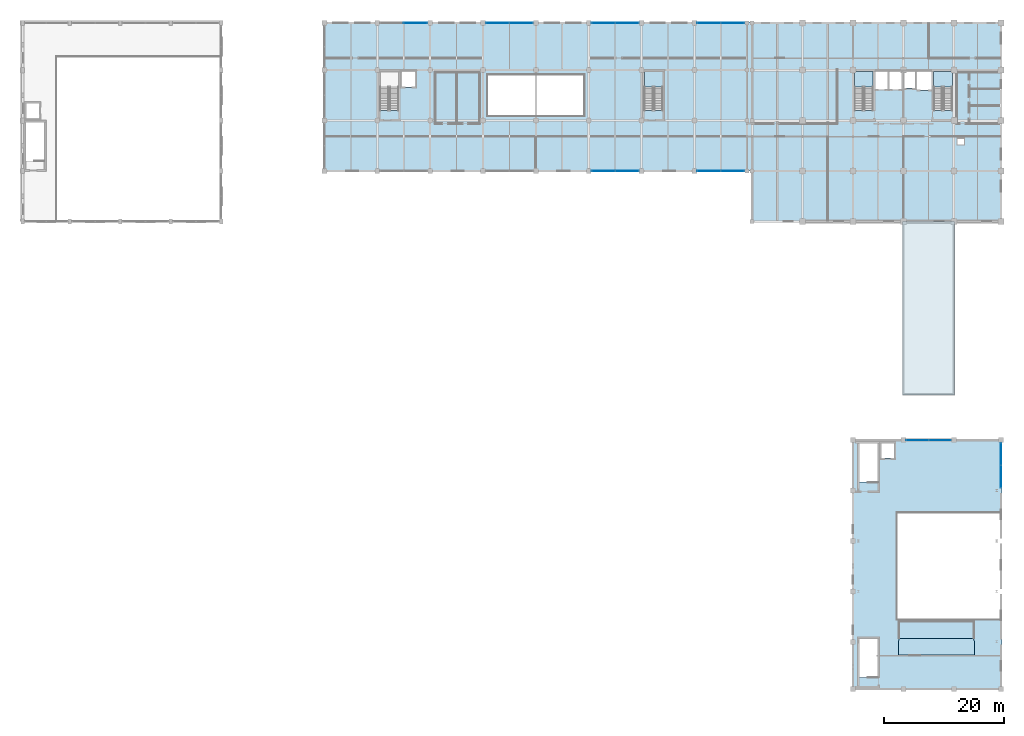
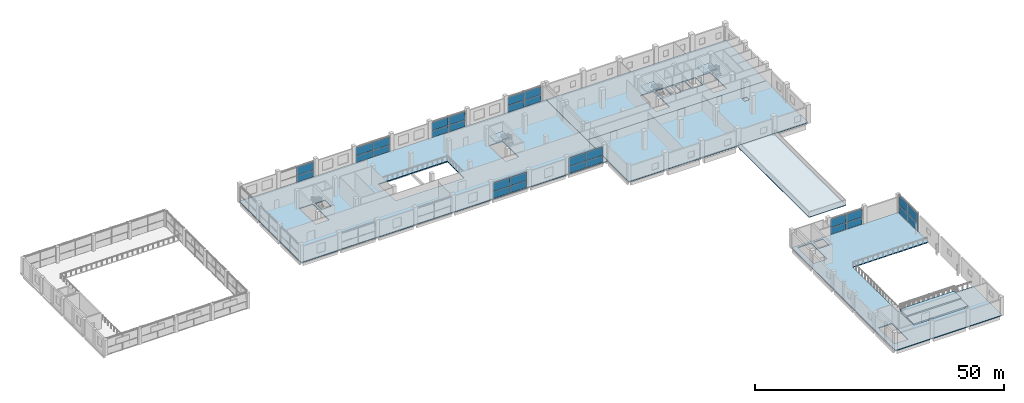
# One storey, part 19 of 31: 30 plates, 10 slabs, 12 elements without a shape of their own.
"""IFC4 building model written with IfcOpenShell, lengths in metres."""

from ifc_helpers import new_model, si_unit, direction, frame, origin, origin_2d, place, context, subcontext, project, spatial, polyline, rectangle, outline, extrude, material, layer, layer_set, type_object, element, aggregate, save


model = new_model("IFC4")

# Units and contexts
model_context = context("Model", 3, precision=1e-05, world=origin(), true_north=direction((0.0, 1.0)))
body_context = subcontext(model_context, "Body", "Model", "MODEL_VIEW")
ifc_project = project(units=[si_unit("LENGTHUNIT", "METRE"), si_unit("AREAUNIT", "SQUARE_METRE"), si_unit("VOLUMEUNIT", "CUBIC_METRE"), si_unit("PLANEANGLEUNIT", "RADIAN"), si_unit("MASSUNIT", "GRAM", prefix="KILO")], contexts=[model_context])

# Site, building, storey
site_placement = place(None, origin())
site = spatial("IfcSite", under=ifc_project, at=site_placement, CompositionType="ELEMENT")
building_placement = place(site_placement, origin())
building = spatial("IfcBuilding", under=site, at=building_placement, Name="Brinegate Botanical Conservatory", CompositionType="ELEMENT")
storey_placement = place(building_placement, frame((0.0, 0.0, 5.39990234375)))
storey = spatial("IfcBuildingStorey", under=building, at=storey_placement, Name="L02", CompositionType="ELEMENT", Elevation=5.39990234375)

# Curtain wall, plates
ifc_material_1 = material(Name="Thermally broken anodised aluminium AW-6063-T6", Category="aluminium")
curtain_wall_type_1 = type_object("IfcCurtainWallType", Name="CW_CW-V2", PredefinedType="USERDEFINED", material=ifc_material_1)
curtain_wall_1_placement = place(storey_placement, origin())
curtain_wall_1 = element("IfcCurtainWall", 1, at=curtain_wall_1_placement, inside=storey, type_object=curtain_wall_type_1, Name="Auditorium upper foyer curtain wall", ObjectType="FACTORY CURTAIN WALL", PredefinedType="USERDEFINED")
ifc_material_2 = material(Name="Double-silver Low-E laminated safety glass", Category="glass")
ifc_layer_1 = layer(ifc_material_2, 0.028076171875, Name="Double-silver Low-E laminated safety glass", Category="glass")
ifc_layer_set_1 = layer_set([ifc_layer_1], Name="Double-silver Low-E laminated safety glass")
plate_type = type_object("IfcPlateType", Name="Plate_PN-28", PredefinedType="CURTAIN_PANEL", material=ifc_layer_set_1)
plate_1_placement = place(storey_placement, frame((163.449951171875, 39.6650390625, 0.06005859375), z_axis=(0.0, 0.0, 1.0), x_axis=(0.0, -1.0, 0.0)))
plate_1 = element("IfcPlate", 2, at=plate_1_placement, type_object=plate_type, Name="CW-V2 panel 1.1", PredefinedType="CURTAIN_PANEL", context=body_context, shape_type="SweptSolid", body=[
    extrude(rectangle(XDim=3.669921875, YDim=0.028076171875, at=origin_2d()), origin(), (0.0, 0.0, 1.0), 1.97998046875),
])
plate_2_placement = place(storey_placement, frame((163.449951171875, 39.6650390625, 2.10009765625), z_axis=(0.0, 0.0, 1.0), x_axis=(0.0, -1.0, 0.0)))
plate_2 = element("IfcPlate", 3, at=plate_2_placement, type_object=plate_type, Name="CW-V2 panel 1.2", PredefinedType="CURTAIN_PANEL", context=body_context, shape_type="SweptSolid", body=[
    extrude(rectangle(XDim=3.669921875, YDim=0.028076171875, at=origin_2d()), origin(), (0.0, 0.0, 1.0), 2.43994140625),
])
plate_3_placement = place(storey_placement, frame((163.449951171875, 35.93505859375, 0.06005859375), z_axis=(0.0, 0.0, 1.0), x_axis=(0.0, -1.0, 0.0)))
plate_3 = element("IfcPlate", 4, at=plate_3_placement, type_object=plate_type, Name="CW-V2 panel 2.1", PredefinedType="CURTAIN_PANEL", context=body_context, shape_type="SweptSolid", body=[
    extrude(rectangle(XDim=3.669921875, YDim=0.028076171875, at=origin_2d()), origin(), (0.0, 0.0, 1.0), 1.97998046875),
])
plate_4_placement = place(storey_placement, frame((163.449951171875, 35.93505859375, 2.10009765625), z_axis=(0.0, 0.0, 1.0), x_axis=(0.0, -1.0, 0.0)))
plate_4 = element("IfcPlate", 5, at=plate_4_placement, type_object=plate_type, Name="CW-V2 panel 2.2", PredefinedType="CURTAIN_PANEL", context=body_context, shape_type="SweptSolid", body=[
    extrude(rectangle(XDim=3.669921875, YDim=0.028076171875, at=origin_2d()), origin(), (0.0, 0.0, 1.0), 2.43994140625),
])
aggregate(curtain_wall_1, [plate_1, plate_2, plate_3, plate_4])

curtain_wall_2_placement = place(storey_placement, origin())
curtain_wall_2 = element("IfcCurtainWall", 6, at=curtain_wall_2_placement, inside=storey, type_object=curtain_wall_type_1, Name="Auditorium north foyer curtain bay L02", ObjectType="FACTORY CURTAIN WALL", PredefinedType="USERDEFINED")
plate_5_placement = place(storey_placement, frame((149.534912109375, 42.0, 0.06005859375), z_axis=(0.0, 0.0, 1.0), x_axis=(1.0, 0.0, 0.0)))
plate_5 = element("IfcPlate", 7, at=plate_5_placement, type_object=plate_type, Name="CW-V2 panel 1.1", PredefinedType="CURTAIN_PANEL", context=body_context, shape_type="SweptSolid", body=[
    extrude(rectangle(XDim=3.669921875, YDim=0.028076171875, at=origin_2d()), origin(), (0.0, 0.0, 1.0), 1.64306640625),
])
plate_6_placement = place(storey_placement, frame((149.534912109375, 42.0, 1.76318359375), z_axis=(0.0, 0.0, 1.0), x_axis=(1.0, 0.0, 0.0)))
plate_6 = element("IfcPlate", 8, at=plate_6_placement, type_object=plate_type, Name="CW-V2 panel 1.2", PredefinedType="CURTAIN_PANEL", context=body_context, shape_type="SweptSolid", body=[
    extrude(rectangle(XDim=3.669921875, YDim=0.028076171875, at=origin_2d()), origin(), (0.0, 0.0, 1.0), 2.027099609375),
])
plate_7_placement = place(storey_placement, frame((153.264892578125, 42.0, 0.06005859375), z_axis=(0.0, 0.0, 1.0), x_axis=(1.0, 0.0, 0.0)))
plate_7 = element("IfcPlate", 9, at=plate_7_placement, type_object=plate_type, Name="CW-V2 panel 2.1", PredefinedType="CURTAIN_PANEL", context=body_context, shape_type="SweptSolid", body=[
    extrude(rectangle(XDim=3.669921875, YDim=0.028076171875, at=origin_2d()), origin(), (0.0, 0.0, 1.0), 1.64306640625),
])
plate_8_placement = place(storey_placement, frame((153.264892578125, 42.0, 1.76318359375), z_axis=(0.0, 0.0, 1.0), x_axis=(1.0, 0.0, 0.0)))
plate_8 = element("IfcPlate", 10, at=plate_8_placement, type_object=plate_type, Name="CW-V2 panel 2.2", PredefinedType="CURTAIN_PANEL", context=body_context, shape_type="SweptSolid", body=[
    extrude(rectangle(XDim=3.669921875, YDim=0.028076171875, at=origin_2d()), origin(), (0.0, 0.0, 1.0), 2.027099609375),
])
aggregate(curtain_wall_2, [plate_5, plate_6, plate_7, plate_8])

curtain_wall_type_2 = type_object("IfcCurtainWallType", Name="CW_CW-V3", PredefinedType="USERDEFINED", material=ifc_material_1)
curtain_wall_3_placement = place(storey_placement, origin())
curtain_wall_3 = element("IfcCurtainWall", 11, at=curtain_wall_3_placement, inside=storey, type_object=curtain_wall_type_2, Name="Visitor north factory curtain wall L02.2", ObjectType="FACTORY CURTAIN WALL", PredefinedType="USERDEFINED")
plate_9_placement = place(storey_placement, frame((65.9638671875, 111.449951171875, 0.065185546875), z_axis=(0.0, 0.0, 1.0), x_axis=(1.0, 0.0, 0.0)))
plate_9 = element("IfcPlate", 12, at=plate_9_placement, type_object=plate_type, Name="CW-V3 panel 2.1", PredefinedType="CURTAIN_PANEL", context=body_context, shape_type="SweptSolid", body=[
    extrude(rectangle(XDim=3.862548828125, YDim=0.028076171875, at=origin_2d()), origin(), (0.0, 0.0, 1.0), 1.62548828125),
])
plate_10_placement = place(storey_placement, frame((65.9638671875, 111.449951171875, 1.75537109375), z_axis=(0.0, 0.0, 1.0), x_axis=(1.0, 0.0, 0.0)))
plate_10 = element("IfcPlate", 13, at=plate_10_placement, type_object=plate_type, Name="CW-V3 panel 2.2", PredefinedType="CURTAIN_PANEL", context=body_context, shape_type="SweptSolid", body=[
    extrude(rectangle(XDim=3.862548828125, YDim=0.028076171875, at=origin_2d()), origin(), (0.0, 0.0, 1.0), 2.009521484375),
])
aggregate(curtain_wall_3, [plate_9, plate_10])

curtain_wall_4_placement = place(storey_placement, origin())
curtain_wall_4 = element("IfcCurtainWall", 14, at=curtain_wall_4_placement, inside=storey, type_object=curtain_wall_type_2, Name="Visitor north factory curtain wall L02.4", ObjectType="FACTORY CURTAIN WALL", PredefinedType="USERDEFINED")
plate_11_placement = place(storey_placement, frame((79.63623046875, 111.449951171875, 0.065185546875), z_axis=(0.0, 0.0, 1.0), x_axis=(1.0, 0.0, 0.0)))
plate_11 = element("IfcPlate", 15, at=plate_11_placement, type_object=plate_type, Name="CW-V3 panel 1.1", PredefinedType="CURTAIN_PANEL", context=body_context, shape_type="SweptSolid", body=[
    extrude(rectangle(XDim=3.862548828125, YDim=0.028076171875, at=origin_2d()), origin(), (0.0, 0.0, 1.0), 1.62548828125),
])
plate_12_placement = place(storey_placement, frame((79.63623046875, 111.449951171875, 1.75537109375), z_axis=(0.0, 0.0, 1.0), x_axis=(1.0, 0.0, 0.0)))
plate_12 = element("IfcPlate", 16, at=plate_12_placement, type_object=plate_type, Name="CW-V3 panel 1.2", PredefinedType="CURTAIN_PANEL", context=body_context, shape_type="SweptSolid", body=[
    extrude(rectangle(XDim=3.862548828125, YDim=0.028076171875, at=origin_2d()), origin(), (0.0, 0.0, 1.0), 2.009521484375),
])
plate_13_placement = place(storey_placement, frame((83.563720703125, 111.449951171875, 0.065185546875), z_axis=(0.0, 0.0, 1.0), x_axis=(1.0, 0.0, 0.0)))
plate_13 = element("IfcPlate", 17, at=plate_13_placement, type_object=plate_type, Name="CW-V3 panel 2.1", PredefinedType="CURTAIN_PANEL", context=body_context, shape_type="SweptSolid", body=[
    extrude(rectangle(XDim=3.862548828125, YDim=0.028076171875, at=origin_2d()), origin(), (0.0, 0.0, 1.0), 1.62548828125),
])
plate_14_placement = place(storey_placement, frame((83.563720703125, 111.449951171875, 1.75537109375), z_axis=(0.0, 0.0, 1.0), x_axis=(1.0, 0.0, 0.0)))
plate_14 = element("IfcPlate", 18, at=plate_14_placement, type_object=plate_type, Name="CW-V3 panel 2.2", PredefinedType="CURTAIN_PANEL", context=body_context, shape_type="SweptSolid", body=[
    extrude(rectangle(XDim=3.862548828125, YDim=0.028076171875, at=origin_2d()), origin(), (0.0, 0.0, 1.0), 2.009521484375),
])
aggregate(curtain_wall_4, [plate_11, plate_12, plate_13, plate_14])

curtain_wall_5_placement = place(storey_placement, origin())
curtain_wall_5 = element("IfcCurtainWall", 19, at=curtain_wall_5_placement, inside=storey, type_object=curtain_wall_type_2, Name="Visitor north factory curtain wall L02.6", ObjectType="FACTORY CURTAIN WALL", PredefinedType="USERDEFINED")
plate_15_placement = place(storey_placement, frame((97.236328125, 111.449951171875, 0.065185546875), z_axis=(0.0, 0.0, 1.0), x_axis=(1.0, 0.0, 0.0)))
plate_15 = element("IfcPlate", 20, at=plate_15_placement, type_object=plate_type, Name="CW-V3 panel 1.1", PredefinedType="CURTAIN_PANEL", context=body_context, shape_type="SweptSolid", body=[
    extrude(rectangle(XDim=3.862548828125, YDim=0.028076171875, at=origin_2d()), origin(), (0.0, 0.0, 1.0), 1.62548828125),
])
plate_16_placement = place(storey_placement, frame((97.236328125, 111.449951171875, 1.75537109375), z_axis=(0.0, 0.0, 1.0), x_axis=(1.0, 0.0, 0.0)))
plate_16 = element("IfcPlate", 21, at=plate_16_placement, type_object=plate_type, Name="CW-V3 panel 1.2", PredefinedType="CURTAIN_PANEL", context=body_context, shape_type="SweptSolid", body=[
    extrude(rectangle(XDim=3.862548828125, YDim=0.028076171875, at=origin_2d()), origin(), (0.0, 0.0, 1.0), 2.009521484375),
])
plate_17_placement = place(storey_placement, frame((101.163818359375, 111.449951171875, 0.065185546875), z_axis=(0.0, 0.0, 1.0), x_axis=(1.0, 0.0, 0.0)))
plate_17 = element("IfcPlate", 22, at=plate_17_placement, type_object=plate_type, Name="CW-V3 panel 2.1", PredefinedType="CURTAIN_PANEL", context=body_context, shape_type="SweptSolid", body=[
    extrude(rectangle(XDim=3.862548828125, YDim=0.028076171875, at=origin_2d()), origin(), (0.0, 0.0, 1.0), 1.62548828125),
])
plate_18_placement = place(storey_placement, frame((101.163818359375, 111.449951171875, 1.75537109375), z_axis=(0.0, 0.0, 1.0), x_axis=(1.0, 0.0, 0.0)))
plate_18 = element("IfcPlate", 23, at=plate_18_placement, type_object=plate_type, Name="CW-V3 panel 2.2", PredefinedType="CURTAIN_PANEL", context=body_context, shape_type="SweptSolid", body=[
    extrude(rectangle(XDim=3.862548828125, YDim=0.028076171875, at=origin_2d()), origin(), (0.0, 0.0, 1.0), 2.009521484375),
])
aggregate(curtain_wall_5, [plate_15, plate_16, plate_17, plate_18])

curtain_wall_6_placement = place(storey_placement, origin())
curtain_wall_6 = element("IfcCurtainWall", 24, at=curtain_wall_6_placement, inside=storey, type_object=curtain_wall_type_2, Name="Visitor south court curtain wall L02.6", ObjectType="FACTORY CURTAIN WALL", PredefinedType="USERDEFINED")
plate_19_placement = place(storey_placement, frame((101.163818359375, 86.800048828125, 0.065185546875), z_axis=(0.0, 0.0, 1.0), x_axis=(-1.0, 0.0, 0.0)))
plate_19 = element("IfcPlate", 25, at=plate_19_placement, type_object=plate_type, Name="CW-V3 panel 1.1", PredefinedType="CURTAIN_PANEL", context=body_context, shape_type="SweptSolid", body=[
    extrude(rectangle(XDim=3.862548828125, YDim=0.028076171875, at=origin_2d()), origin(), (0.0, 0.0, 1.0), 1.67041015625),
])
plate_20_placement = place(storey_placement, frame((101.163818359375, 86.800048828125, 1.800537109375), z_axis=(0.0, 0.0, 1.0), x_axis=(-1.0, 0.0, 0.0)))
plate_20 = element("IfcPlate", 26, at=plate_20_placement, type_object=plate_type, Name="CW-V3 panel 1.2", PredefinedType="CURTAIN_PANEL", context=body_context, shape_type="SweptSolid", body=[
    extrude(rectangle(XDim=3.862548828125, YDim=0.028076171875, at=origin_2d()), origin(), (0.0, 0.0, 1.0), 2.064453125),
])
plate_21_placement = place(storey_placement, frame((97.236328125, 86.800048828125, 0.065185546875), z_axis=(0.0, 0.0, 1.0), x_axis=(-1.0, 0.0, 0.0)))
plate_21 = element("IfcPlate", 27, at=plate_21_placement, type_object=plate_type, Name="CW-V3 panel 2.1", PredefinedType="CURTAIN_PANEL", context=body_context, shape_type="SweptSolid", body=[
    extrude(rectangle(XDim=3.862548828125, YDim=0.028076171875, at=origin_2d()), origin(), (0.0, 0.0, 1.0), 1.67041015625),
])
plate_22_placement = place(storey_placement, frame((97.236328125, 86.800048828125, 1.800537109375), z_axis=(0.0, 0.0, 1.0), x_axis=(-1.0, 0.0, 0.0)))
plate_22 = element("IfcPlate", 28, at=plate_22_placement, type_object=plate_type, Name="CW-V3 panel 2.2", PredefinedType="CURTAIN_PANEL", context=body_context, shape_type="SweptSolid", body=[
    extrude(rectangle(XDim=3.862548828125, YDim=0.028076171875, at=origin_2d()), origin(), (0.0, 0.0, 1.0), 2.064453125),
])
aggregate(curtain_wall_6, [plate_19, plate_20, plate_21, plate_22])

curtain_wall_7_placement = place(storey_placement, origin())
curtain_wall_7 = element("IfcCurtainWall", 29, at=curtain_wall_7_placement, inside=storey, type_object=curtain_wall_type_2, Name="Visitor north factory curtain wall L02.8", ObjectType="FACTORY CURTAIN WALL", PredefinedType="USERDEFINED")
plate_23_placement = place(storey_placement, frame((114.836181640625, 111.449951171875, 0.065185546875), z_axis=(0.0, 0.0, 1.0), x_axis=(1.0, 0.0, 0.0)))
plate_23 = element("IfcPlate", 30, at=plate_23_placement, type_object=plate_type, Name="CW-V3 panel 1.1", PredefinedType="CURTAIN_PANEL", context=body_context, shape_type="SweptSolid", body=[
    extrude(rectangle(XDim=3.862548828125, YDim=0.028076171875, at=origin_2d()), origin(), (0.0, 0.0, 1.0), 1.62548828125),
])
plate_24_placement = place(storey_placement, frame((114.836181640625, 111.449951171875, 1.75537109375), z_axis=(0.0, 0.0, 1.0), x_axis=(1.0, 0.0, 0.0)))
plate_24 = element("IfcPlate", 31, at=plate_24_placement, type_object=plate_type, Name="CW-V3 panel 1.2", PredefinedType="CURTAIN_PANEL", context=body_context, shape_type="SweptSolid", body=[
    extrude(rectangle(XDim=3.862548828125, YDim=0.028076171875, at=origin_2d()), origin(), (0.0, 0.0, 1.0), 2.009521484375),
])
plate_25_placement = place(storey_placement, frame((118.763671875, 111.449951171875, 0.065185546875), z_axis=(0.0, 0.0, 1.0), x_axis=(1.0, 0.0, 0.0)))
plate_25 = element("IfcPlate", 32, at=plate_25_placement, type_object=plate_type, Name="CW-V3 panel 2.1", PredefinedType="CURTAIN_PANEL", context=body_context, shape_type="SweptSolid", body=[
    extrude(rectangle(XDim=3.862548828125, YDim=0.028076171875, at=origin_2d()), origin(), (0.0, 0.0, 1.0), 1.62548828125),
])
plate_26_placement = place(storey_placement, frame((118.763671875, 111.449951171875, 1.75537109375), z_axis=(0.0, 0.0, 1.0), x_axis=(1.0, 0.0, 0.0)))
plate_26 = element("IfcPlate", 33, at=plate_26_placement, type_object=plate_type, Name="CW-V3 panel 2.2", PredefinedType="CURTAIN_PANEL", context=body_context, shape_type="SweptSolid", body=[
    extrude(rectangle(XDim=3.862548828125, YDim=0.028076171875, at=origin_2d()), origin(), (0.0, 0.0, 1.0), 2.009521484375),
])
aggregate(curtain_wall_7, [plate_23, plate_24, plate_25, plate_26])

curtain_wall_8_placement = place(storey_placement, origin())
curtain_wall_8 = element("IfcCurtainWall", 34, at=curtain_wall_8_placement, inside=storey, type_object=curtain_wall_type_2, Name="Visitor south court curtain wall L02.8", ObjectType="FACTORY CURTAIN WALL", PredefinedType="USERDEFINED")
plate_27_placement = place(storey_placement, frame((118.763671875, 86.800048828125, 0.065185546875), z_axis=(0.0, 0.0, 1.0), x_axis=(-1.0, 0.0, 0.0)))
plate_27 = element("IfcPlate", 35, at=plate_27_placement, type_object=plate_type, Name="CW-V3 panel 1.1", PredefinedType="CURTAIN_PANEL", context=body_context, shape_type="SweptSolid", body=[
    extrude(rectangle(XDim=3.862548828125, YDim=0.028076171875, at=origin_2d()), origin(), (0.0, 0.0, 1.0), 1.67041015625),
])
plate_28_placement = place(storey_placement, frame((118.763671875, 86.800048828125, 1.800537109375), z_axis=(0.0, 0.0, 1.0), x_axis=(-1.0, 0.0, 0.0)))
plate_28 = element("IfcPlate", 36, at=plate_28_placement, type_object=plate_type, Name="CW-V3 panel 1.2", PredefinedType="CURTAIN_PANEL", context=body_context, shape_type="SweptSolid", body=[
    extrude(rectangle(XDim=3.862548828125, YDim=0.028076171875, at=origin_2d()), origin(), (0.0, 0.0, 1.0), 2.064453125),
])
plate_29_placement = place(storey_placement, frame((114.836181640625, 86.800048828125, 0.065185546875), z_axis=(0.0, 0.0, 1.0), x_axis=(-1.0, 0.0, 0.0)))
plate_29 = element("IfcPlate", 37, at=plate_29_placement, type_object=plate_type, Name="CW-V3 panel 2.1", PredefinedType="CURTAIN_PANEL", context=body_context, shape_type="SweptSolid", body=[
    extrude(rectangle(XDim=3.862548828125, YDim=0.028076171875, at=origin_2d()), origin(), (0.0, 0.0, 1.0), 1.67041015625),
])
plate_30_placement = place(storey_placement, frame((114.836181640625, 86.800048828125, 1.800537109375), z_axis=(0.0, 0.0, 1.0), x_axis=(-1.0, 0.0, 0.0)))
plate_30 = element("IfcPlate", 38, at=plate_30_placement, type_object=plate_type, Name="CW-V3 panel 2.2", PredefinedType="CURTAIN_PANEL", context=body_context, shape_type="SweptSolid", body=[
    extrude(rectangle(XDim=3.862548828125, YDim=0.028076171875, at=origin_2d()), origin(), (0.0, 0.0, 1.0), 2.064453125),
])
aggregate(curtain_wall_8, [plate_27, plate_28, plate_29, plate_30])

# Slabs
ifc_material_3 = material(Name="Concrete C40/50", Category="concrete")
ifc_layer_2 = layer(ifc_material_3, 0.219970703125, Name="Concrete C40/50", Category="concrete")
ifc_layer_set_2 = layer_set([ifc_layer_2], Name="Concrete C40/50")
slab_type_1 = type_object("IfcSlabType", Name="Slab_SL-FL220", PredefinedType="FLOOR", material=ifc_layer_set_2)
slab_1_placement = place(storey_placement, frame((0.0, 0.0, -0.219970703125)))
element("IfcSlab", 39, at=slab_1_placement, inside=storey, type_object=slab_type_1, Name="Auditorium L02 upper concourse slab", PredefinedType="FLOOR", context=body_context, shape_type="SweptSolid", body=[
    extrude(outline(polyline([(138.800048828125, 0.39990234375), (163.580078125, 0.39990234375), (163.580078125, 12.0), (146.0, 12.0), (146.0, 30.0), (163.580078125, 30.0), (163.580078125, 42.0), (138.800048828125, 42.0), (138.800048828125, 0.39990234375)]), holes=[polyline([(142.949951171875, 35.0), (142.949951171875, 41.449951171875), (139.85009765625, 41.449951171875), (139.85009765625, 35.0), (142.949951171875, 35.0)]), polyline([(142.949951171875, 2.5), (142.949951171875, 8.949951171875), (139.85009765625, 8.949951171875), (139.85009765625, 2.5), (142.949951171875, 2.5)]), polyline([(143.5, 39.0), (145.699951171875, 39.0), (145.699951171875, 41.5), (143.5, 41.5), (143.5, 39.0)])]), origin(), (0.0, 0.0, 1.0), 0.219970703125),
])
slab_2_placement = place(storey_placement, frame((0.0, 0.0, -0.219970703125)))
element("IfcSlab", 40, at=slab_2_placement, inside=storey, type_object=slab_type_1, Name="Visitor Wing L02 floor slab", PredefinedType="FLOOR", context=body_context, shape_type="SweptSolid", body=[
    extrude(outline(polyline([(50.800048828125, 86.800048828125), (121.919921875, 86.800048828125), (121.919921875, 111.60009765625), (50.800048828125, 111.60009765625), (50.800048828125, 86.800048828125)]), holes=[polyline([(63.14990234375, 96.89990234375), (63.14990234375, 103.35009765625), (60.050048828125, 103.35009765625), (60.050048828125, 96.89990234375), (63.14990234375, 96.89990234375)]), polyline([(107.14990234375, 96.89990234375), (107.14990234375, 103.35009765625), (104.050048828125, 103.35009765625), (104.050048828125, 96.89990234375), (107.14990234375, 96.89990234375)]), polyline([(63.699951171875, 100.800048828125), (65.89990234375, 100.800048828125), (65.89990234375, 103.300048828125), (63.699951171875, 103.300048828125), (63.699951171875, 100.800048828125)]), polyline([(78.0, 96.0), (94.0, 96.0), (94.0, 102.800048828125), (78.0, 102.800048828125), (78.0, 96.0)])]), origin(), (0.0, 0.0, 1.0), 0.219970703125),
])
slab_3_placement = place(storey_placement, frame((0.0, 0.0, -0.219970703125)))
element("IfcSlab", 41, at=slab_3_placement, inside=storey, type_object=slab_type_1, Name="Research Tower L02 north structural floor slab", PredefinedType="FLOOR", context=body_context, shape_type="SweptSolid", body=[
    extrude(outline(polyline([(122.0, 111.60009765625), (163.60009765625, 111.60009765625), (163.60009765625, 95.199951171875), (122.0, 95.199951171875), (122.0, 111.60009765625)]), holes=[polyline([(142.14990234375, 96.89990234375), (142.14990234375, 103.35009765625), (139.050048828125, 103.35009765625), (139.050048828125, 96.89990234375), (142.14990234375, 96.89990234375)]), polyline([(155.35009765625, 96.89990234375), (155.35009765625, 103.35009765625), (152.25, 103.35009765625), (152.25, 96.89990234375), (155.35009765625, 96.89990234375)]), polyline([(142.550048828125, 100.39990234375), (144.60009765625, 100.39990234375), (144.60009765625, 103.300048828125), (142.550048828125, 103.300048828125), (142.550048828125, 100.39990234375)]), polyline([(144.85009765625, 100.39990234375), (146.89990234375, 100.39990234375), (146.89990234375, 103.300048828125), (144.85009765625, 103.300048828125), (144.85009765625, 100.39990234375)]), polyline([(147.14990234375, 100.60009765625), (149.199951171875, 100.60009765625), (149.199951171875, 103.300048828125), (147.14990234375, 103.300048828125), (147.14990234375, 100.60009765625)]), polyline([(149.449951171875, 100.300048828125), (151.85009765625, 100.300048828125), (151.85009765625, 103.300048828125), (149.449951171875, 103.300048828125), (149.449951171875, 100.300048828125)])]), origin(), (0.0, 0.0, 1.0), 0.219970703125),
])
slab_4_placement = place(storey_placement, frame((0.0, 0.0, -0.219970703125)))
element("IfcSlab", 42, at=slab_4_placement, inside=storey, type_object=slab_type_1, Name="Research Tower L02 south structural floor slab", PredefinedType="FLOOR", context=body_context, shape_type="SweptSolid", body=[
    extrude(outline(polyline([(163.60009765625, 78.39990234375), (122.0, 78.39990234375), (122.0, 95.199951171875), (163.60009765625, 95.199951171875), (163.60009765625, 78.39990234375)]), holes=[polyline([(156.199951171875, 91.199951171875), (157.300048828125, 91.199951171875), (157.300048828125, 92.199951171875), (156.199951171875, 92.199951171875), (156.199951171875, 91.199951171875)])]), origin(), (0.0, 0.0, 1.0), 0.219970703125),
])

# Stair, slab
stair_type = type_object("IfcStairType", Name="Stair_HT-4800", PredefinedType="HALF_TURN_STAIR", material=ifc_material_3)
stair_1_placement = place(storey_placement, origin())
stair_1 = element("IfcStair", 43, at=stair_1_placement, inside=storey, type_object=stair_type, Name="L02 Tower West Smoke-Proof Stair ST1", PredefinedType="HALF_TURN_STAIR")
ifc_layer_3 = layer(ifc_material_3, 0.199951171875, Name="Concrete C40/50", Category="concrete")
ifc_layer_set_3 = layer_set([ifc_layer_3], Name="Concrete C40/50")
slab_type_2 = type_object("IfcSlabType", Name="Slab_SL-LD200", PredefinedType="LANDING", material=ifc_layer_set_3)
slab_5_placement = place(storey_placement, frame((0.0, 0.0, 2.2001953125)))
slab_5 = element("IfcSlab", 44, at=slab_5_placement, type_object=slab_type_2, Name="ST1 landing 1", PredefinedType="LANDING", context=body_context, shape_type="SweptSolid", body=[
    extrude(outline(polyline([(142.14990234375, 100.820068359375), (142.14990234375, 103.35009765625), (139.050048828125, 103.35009765625), (139.050048828125, 100.820068359375), (142.14990234375, 100.820068359375)])), origin(), (0.0, 0.0, 1.0), 0.199951171875),
])
aggregate(stair_1, [slab_5])

stair_2_placement = place(storey_placement, origin())
stair_2 = element("IfcStair", 45, at=stair_2_placement, inside=storey, type_object=stair_type, Name="L02 Tower East Smoke-Proof Stair ST2", PredefinedType="HALF_TURN_STAIR")
slab_6_placement = place(storey_placement, frame((0.0, 0.0, 2.2001953125)))
slab_6 = element("IfcSlab", 46, at=slab_6_placement, type_object=slab_type_2, Name="ST2 landing 1", PredefinedType="LANDING", context=body_context, shape_type="SweptSolid", body=[
    extrude(outline(polyline([(155.35009765625, 100.820068359375), (155.35009765625, 103.35009765625), (152.25, 103.35009765625), (152.25, 100.820068359375), (155.35009765625, 100.820068359375)])), origin(), (0.0, 0.0, 1.0), 0.199951171875),
])
aggregate(stair_2, [slab_6])

stair_3_placement = place(storey_placement, origin())
stair_3 = element("IfcStair", 47, at=stair_3_placement, inside=storey, type_object=stair_type, Name="L02 Visitor Wing East Smoke-Proof Stair ST4", PredefinedType="HALF_TURN_STAIR")
slab_7_placement = place(storey_placement, frame((0.0, 0.0, 2.2001953125)))
slab_7 = element("IfcSlab", 48, at=slab_7_placement, type_object=slab_type_2, Name="ST4 landing 1", PredefinedType="LANDING", context=body_context, shape_type="SweptSolid", body=[
    extrude(outline(polyline([(107.14990234375, 100.820068359375), (107.14990234375, 103.35009765625), (104.050048828125, 103.35009765625), (104.050048828125, 100.820068359375), (107.14990234375, 100.820068359375)])), origin(), (0.0, 0.0, 1.0), 0.199951171875),
])
aggregate(stair_3, [slab_7])

# Roof, slab
roof_type = type_object("IfcRoofType", Name="Roof_FLAT", PredefinedType="FLAT_ROOF", material=ifc_material_3)
roof_placement = place(storey_placement, origin())
roof = element("IfcRoof", 49, at=roof_placement, inside=storey, type_object=roof_type, Name="Vehicle ramp portal hood roof assembly", PredefinedType="FLAT_ROOF")
ifc_layer_4 = layer(ifc_material_3, 0.14990234375, Name="Concrete C40/50", Category="concrete")
ifc_layer_set_4 = layer_set([ifc_layer_4], Name="Concrete C40/50")
slab_type_3 = type_object("IfcSlabType", Name="Slab_SL-RF150", PredefinedType="ROOF", material=ifc_layer_set_4)
slab_8_placement = place(storey_placement, frame((0.0, 0.0, -0.14990234375)))
slab_8 = element("IfcSlab", 50, at=slab_8_placement, type_object=slab_type_3, Name="Vehicle ramp portal hood roof slab", PredefinedType="ROOF", context=body_context, shape_type="SweptSolid", body=[
    extrude(outline(polyline([(147.090087890625, 49.489990234375), (155.7099609375, 49.489990234375), (155.7099609375, 78.3798828125), (147.090087890625, 78.3798828125), (147.090087890625, 49.489990234375)])), origin(), (0.0, 0.0, 1.0), 0.14990234375),
])
aggregate(roof, [slab_8])

# Slabs
ifc_layer_5 = layer(ifc_material_3, 0.22998046875, Name="Concrete C40/50", Category="concrete")
ifc_layer_set_5 = layer_set([ifc_layer_5], Name="Concrete C40/50")
slab_type_4 = type_object("IfcSlabType", Name="Slab_SL-ST230", PredefinedType="USERDEFINED", material=ifc_layer_set_5)
slab_9_placement = place(storey_placement, origin())
element("IfcSlab", 51, at=slab_9_placement, inside=storey, type_object=slab_type_4, Name="Auditorium upper seating tier 1", ObjectType="SEATING TIER", PredefinedType="USERDEFINED", context=body_context, shape_type="SweptSolid", body=[
    extrude(outline(polyline([(146.39990234375, 6.199951171875), (159.0, 6.199951171875), (159.0, 8.550048828125), (158.85009765625, 9.0), (146.550048828125, 9.0), (146.39990234375, 8.550048828125), (146.39990234375, 6.199951171875)])), origin(), (0.0, 0.0, 1.0), 0.300048828125),
])
ifc_layer_6 = layer(ifc_material_3, 0.530029296875, Name="Concrete C40/50", Category="concrete")
ifc_layer_set_6 = layer_set([ifc_layer_6], Name="Concrete C40/50")
slab_type_5 = type_object("IfcSlabType", Name="Slab_SL-ST530", PredefinedType="USERDEFINED", material=ifc_layer_set_6)
slab_10_placement = place(storey_placement, origin())
element("IfcSlab", 52, at=slab_10_placement, inside=storey, type_object=slab_type_5, Name="Auditorium upper seating tier 2", ObjectType="SEATING TIER", PredefinedType="USERDEFINED", context=body_context, shape_type="SweptSolid", body=[
    extrude(outline(polyline([(146.39990234375, 9.0), (159.0, 9.0), (159.0, 11.35009765625), (158.85009765625, 11.800048828125), (146.550048828125, 11.800048828125), (146.39990234375, 11.35009765625), (146.39990234375, 9.0)])), origin(), (0.0, 0.0, 1.0), 0.60009765625),
])

save(model, "model.ifc")
